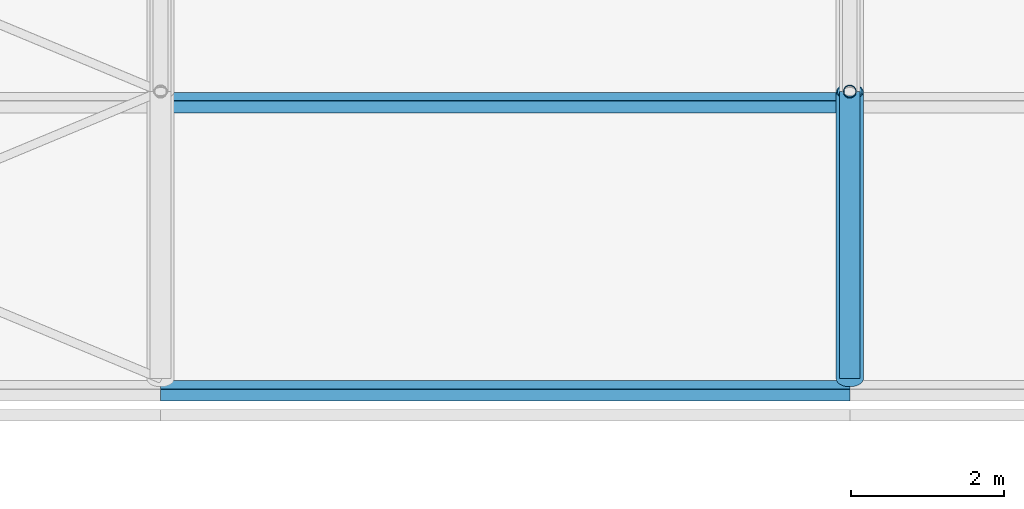
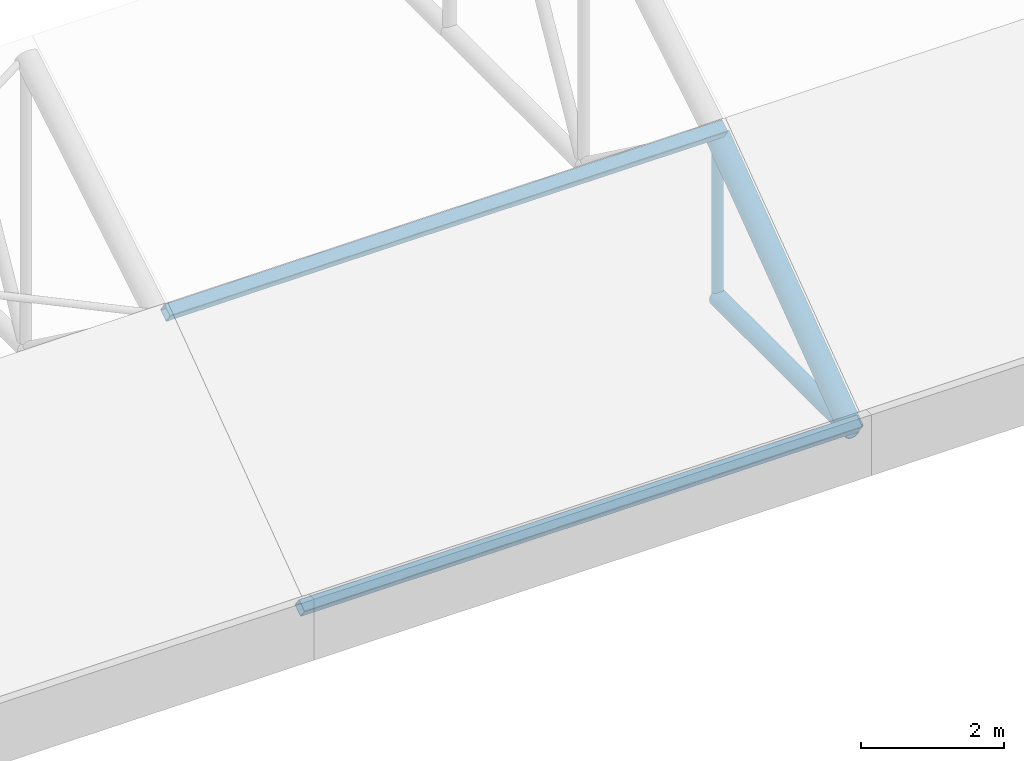
# One storey, part 47 of 153: 5 members.
"""IFC4 building model written with IfcOpenShell, lengths in metres."""

from ifc_helpers import new_model, si_unit, direction, frame, origin, origin_2d, place, context, subcontext, project, spatial, hollow_rectangle, hollow_circle, extrude, material, material_profile, profile_set, type_object, element, save


model = new_model("IFC4")

# Units and contexts
model_context = context("Model", 3, precision=1e-05, world=origin(), true_north=direction((0.0, 1.0)))
body_context = subcontext(model_context, "Body", "Model", "MODEL_VIEW")
ifc_project = project(units=[si_unit("LENGTHUNIT", "METRE"), si_unit("AREAUNIT", "SQUARE_METRE"), si_unit("VOLUMEUNIT", "CUBIC_METRE"), si_unit("PLANEANGLEUNIT", "RADIAN"), si_unit("MASSUNIT", "GRAM", prefix="KILO")], contexts=[model_context])

# Site, building, storey
site_placement = place(None, origin())
site = spatial("IfcSite", under=ifc_project, at=site_placement, CompositionType="ELEMENT")
building_placement = place(site_placement, origin())
building = spatial("IfcBuilding", under=site, at=building_placement, Name="Baradari Gate Terminus", CompositionType="ELEMENT")
storey_placement = place(building_placement, frame((0.0, 0.0, 11.699951171875)))
storey = spatial("IfcBuildingStorey", under=building, at=storey_placement, Name="L02", CompositionType="ELEMENT", Elevation=11.699951171875)

# Members
ifc_material_1 = material(Name="Steel S355", Category="steel")
ifc_material_profile_1 = material_profile(ifc_material_1, hollow_circle(Radius=0.136474609375, WallThickness=0.012451171875, at=origin_2d()), Name="CHS 273x12.5")
ifc_profile_set_1 = profile_set([ifc_material_profile_1], Name="Steel S355")
member_type_1 = type_object("IfcMemberType", Name="Shed bottom chord CHS 273x12.5", PredefinedType="CHORD", material=ifc_profile_set_1)
member_1_placement = place(storey_placement, frame((198.0, 36.0, 0.136474609375), z_axis=(0.0, 1.0, 0.0), x_axis=(-1.0, 0.0, 0.0)))
element("IfcMember", 1, at=member_1_placement, inside=storey, type_object=member_type_1, Name="TR/L02/S198-BC00", PredefinedType="CHORD", context=body_context, shape_type="SweptSolid", body=[
    extrude(hollow_circle(Radius=0.136474609375, WallThickness=0.012451171875, at=origin_2d()), origin(), (0.0, 0.0, 1.0), 3.75),
])
ifc_material_2 = material(Name="Steel S355", Category="steel")
ifc_material_profile_2 = material_profile(ifc_material_2, hollow_rectangle(XDim=0.199951171875, YDim=0.199951171875, WallThickness=0.008056640625, InnerFilletRadius=0.008056640625, OuterFilletRadius=0.01611328125, at=origin_2d()), Name="SHS 200x200x8")
ifc_profile_set_2 = profile_set([ifc_material_profile_2], Name="Steel S355")
member_type_2 = type_object("IfcMemberType", Name="Shed purlin SHS 200x200x8", PredefinedType="PURLIN", material=ifc_profile_set_2)
for number, where, z_axis, x_axis, name in (
    (2, (189.0, 35.8427734375, 0.350830078125), (1.0, 0.0, 0.0), (0.0, 0.80640499586, 0.591363663621), "TR/L02/B198-PU00"),
    (3, (189.0, 39.602783203125, 3.10791015625), (1.0, 0.0, 0.0), (0.0, 0.832836263724, 0.55351942859), "TR/L02/B198-PU01"),
):
    element("IfcMember", number, at=place(storey_placement, frame(where, z_axis=z_axis, x_axis=x_axis)), inside=storey, type_object=member_type_2, Name=name, PredefinedType="PURLIN", context=body_context, shape_type="SweptSolid", body=[
        extrude(hollow_rectangle(XDim=0.199951171875, YDim=0.199951171875, WallThickness=0.008056640625, InnerFilletRadius=0.008056640625, OuterFilletRadius=0.01611328125, at=origin_2d()), origin(), (0.0, 0.0, 1.0), 9.0),
    ])
ifc_material_3 = material(Name="Steel S355", Category="steel")
ifc_material_profile_3 = material_profile(ifc_material_3, hollow_circle(Radius=0.177734375, WallThickness=0.01611328125, at=origin_2d()), Name="CHS 355.6x16")
ifc_profile_set_3 = profile_set([ifc_material_profile_3], Name="Steel S355")
member_type_3 = type_object("IfcMemberType", Name="Shed top chord CHS 355.6x16", PredefinedType="CHORD", material=ifc_profile_set_3)
member_2_placement = place(storey_placement, frame((198.0, 36.0, 0.136474609375), z_axis=(0.0, 0.806404995856, 0.591363663628), x_axis=(-1.0, 0.0, 0.0)))
element("IfcMember", 4, at=member_2_placement, inside=storey, type_object=member_type_3, Name="TR/L02/S198-TC00", PredefinedType="CHORD", context=body_context, shape_type="SweptSolid", body=[
    extrude(hollow_circle(Radius=0.177734375, WallThickness=0.01611328125, at=origin_2d()), origin(), (0.0, 0.0, 1.0), 4.650390625),
])
ifc_material_4 = material(Name="Steel S355", Category="steel")
ifc_material_profile_4 = material_profile(ifc_material_4, hollow_circle(Radius=0.084228515625, WallThickness=0.008056640625, at=origin_2d()), Name="CHS 168.3x8")
ifc_profile_set_4 = profile_set([ifc_material_profile_4], Name="Steel S355")
member_type_4 = type_object("IfcMemberType", Name="Shed truss post CHS 168.3x8", PredefinedType="POST", material=ifc_profile_set_4)
member_3_placement = place(storey_placement, frame((198.0, 39.75, 0.136474609375), z_axis=(0.0, 0.0, 1.0), x_axis=(1.0, 0.0, 0.0)))
element("IfcMember", 5, at=member_3_placement, inside=storey, type_object=member_type_4, Name="TR/L02/S198-SP01", PredefinedType="POST", context=body_context, shape_type="SweptSolid", body=[
    extrude(hollow_circle(Radius=0.084228515625, WallThickness=0.008056640625, at=origin_2d()), origin(), (0.0, 0.0, 1.0), 2.75),
])

save(model, "model.ifc")
